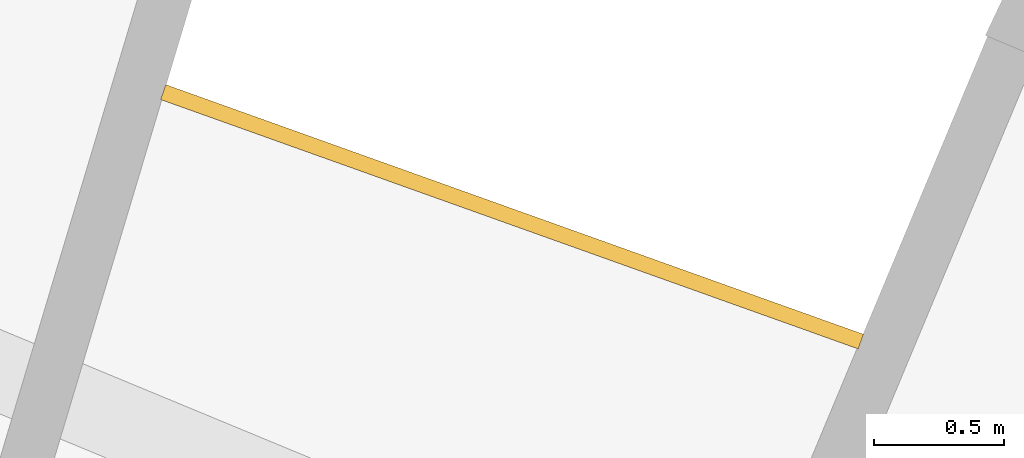
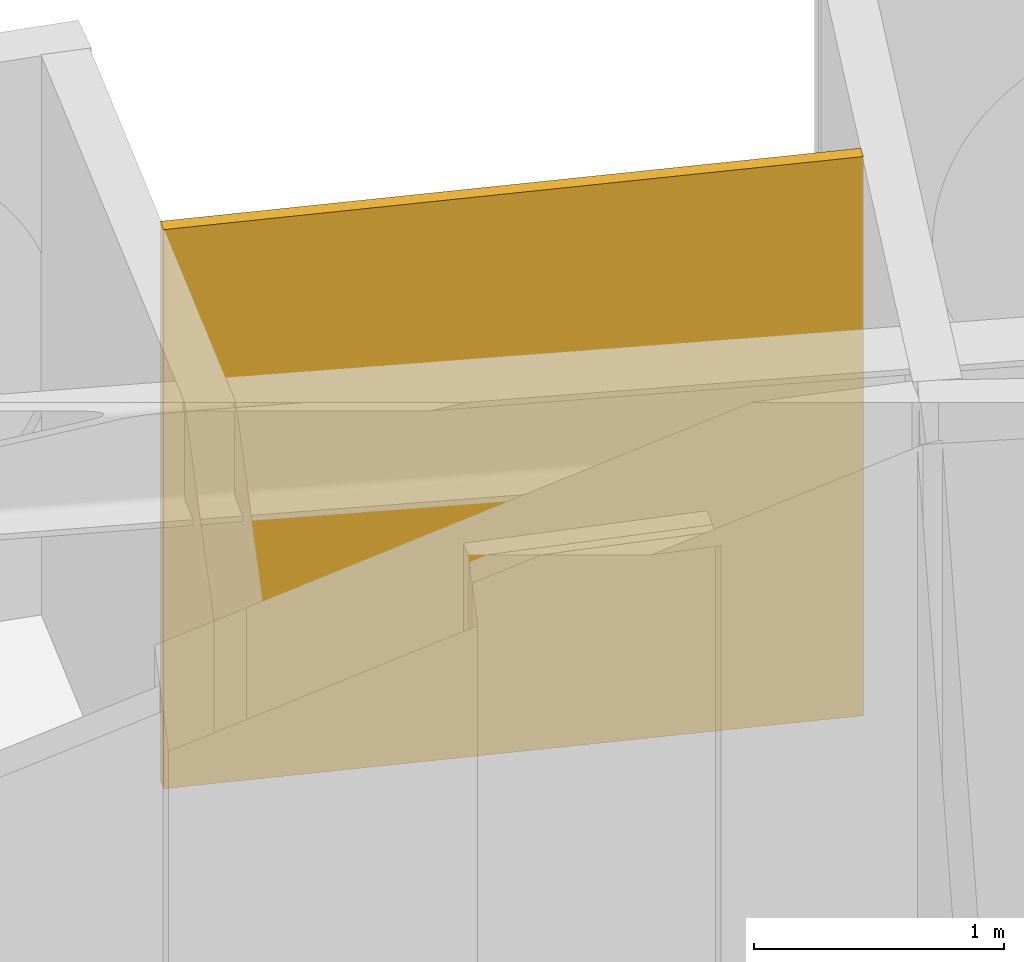
# One storey, part 26 of 26: 1 railing.
"""IFC4 building model written with IfcOpenShell, lengths in metres."""

from ifc_helpers import new_model, si_unit, direction, frame, origin, place, context, subcontext, project, spatial, polyline, outline, extrude, material, layer, layer_set, type_object, element, save


model = new_model("IFC4")

# Units and contexts
model_context = context("Model", 3, precision=1e-05, world=origin(), true_north=direction((0.0, 1.0)))
body_context = subcontext(model_context, "Body", "Model", "MODEL_VIEW")
ifc_project = project(units=[si_unit("LENGTHUNIT", "METRE"), si_unit("AREAUNIT", "SQUARE_METRE"), si_unit("VOLUMEUNIT", "CUBIC_METRE"), si_unit("PLANEANGLEUNIT", "RADIAN"), si_unit("MASSUNIT", "GRAM", prefix="KILO")], contexts=[model_context])

# Site, building, storey
site_placement = place(None, origin())
site = spatial("IfcSite", under=ifc_project, at=site_placement, CompositionType="ELEMENT")
building_placement = place(site_placement, origin())
building = spatial("IfcBuilding", under=site, at=building_placement, Name="Maasbend Ring Residences", CompositionType="ELEMENT")
storey_placement = place(building_placement, frame((0.0, 0.0, 38.050048828125)))
storey = spatial("IfcBuildingStorey", under=building, at=storey_placement, Name="L10", CompositionType="ELEMENT", Elevation=38.050048828125)

# Railing
ifc_material = material(Name="Pale anodised perforated aluminium", Category="aluminium")
ifc_layer = layer(ifc_material, 0.06005859375)
ifc_layer_set = layer_set([ifc_layer], Name="SCREEN-P")
railing_type = type_object("IfcRailingType", Name="SCREEN-P", PredefinedType="GUARDRAIL", material=ifc_layer_set)
railing_placement = place(storey_placement, frame((0.0, 0.0, -0.030029296875)))
element("IfcRailing", 1, at=railing_placement, inside=storey, type_object=railing_type, Name="Perforated screen guard 4", PredefinedType="GUARDRAIL", context=body_context, shape_type="SweptSolid", body=[
    extrude(outline(polyline([(11.097900390625, 26.79296875), (8.41796875, 27.7509765625), (8.43798828125, 27.80810546875), (11.117919921875, 26.84912109375), (11.097900390625, 26.79296875)])), origin(), (0.0, 0.0, 1.0), 2.72998046875),
])

save(model, "model.ifc")
